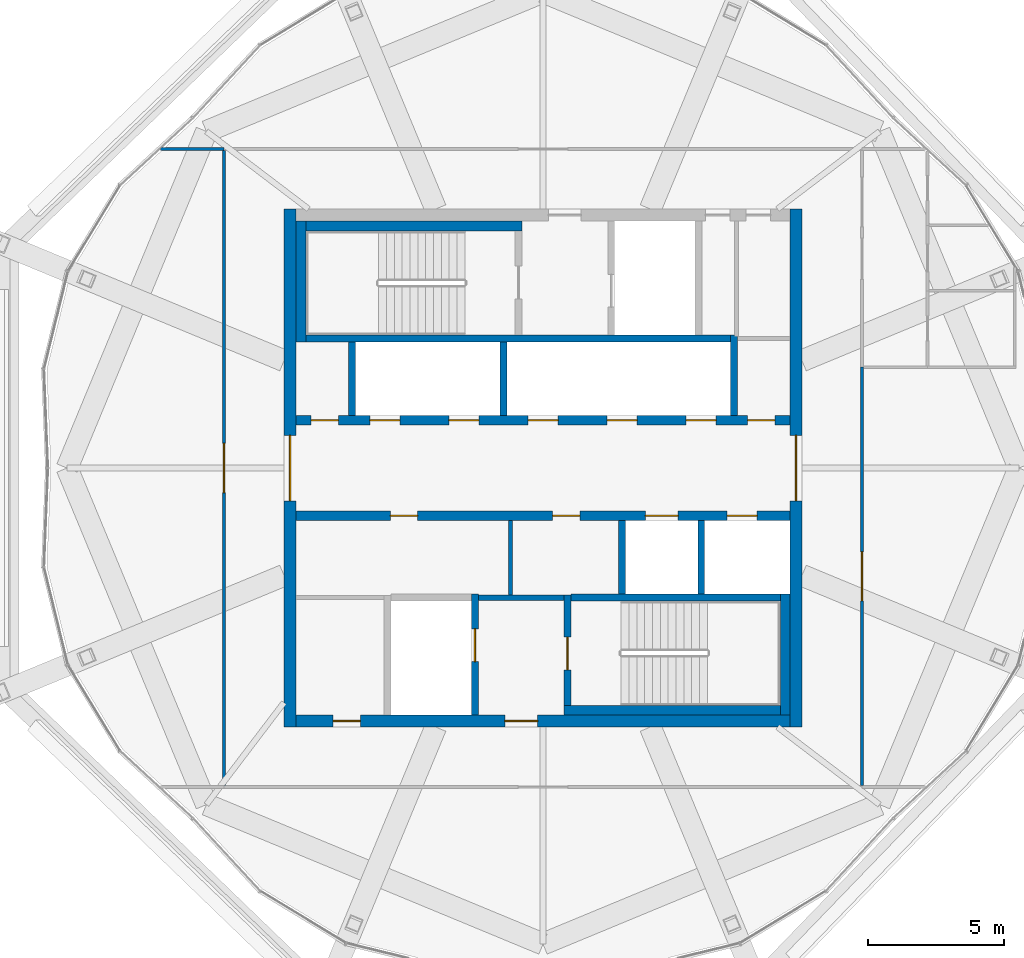
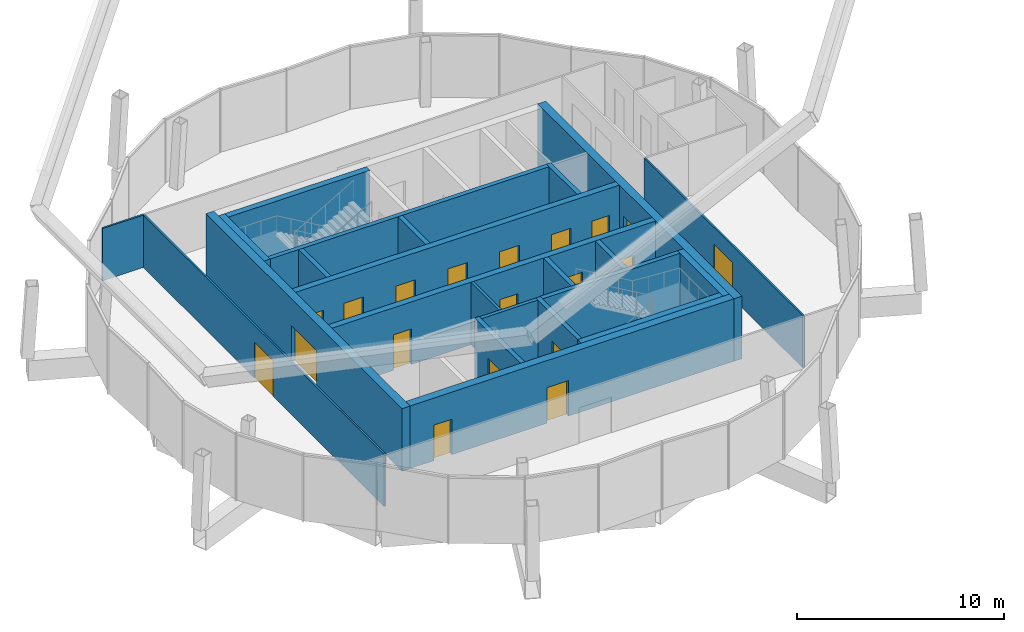
# One storey, part 28 of 34: 23 walls, 19 doors, 19 openings.
"""IFC4 building model written with IfcOpenShell, lengths in metres."""

from ifc_helpers import new_model, si_unit, direction, frame, frame_2d, origin, place, context, subcontext, project, spatial, rectangle, extrude, material, layer, layer_set, type_object, element, fill, save


model = new_model("IFC4")

# Units and contexts
model_context = context("Model", 3, precision=1e-05, world=origin(), true_north=direction((0.0, 1.0)))
body_context = subcontext(model_context, "Body", "Model", "MODEL_VIEW")
ifc_project = project(units=[si_unit("LENGTHUNIT", "METRE"), si_unit("AREAUNIT", "SQUARE_METRE"), si_unit("VOLUMEUNIT", "CUBIC_METRE"), si_unit("PLANEANGLEUNIT", "RADIAN"), si_unit("MASSUNIT", "GRAM", prefix="KILO")], contexts=[model_context])

# Site, building, storey
site_placement = place(None, origin())
site = spatial("IfcSite", under=ifc_project, at=site_placement, CompositionType="ELEMENT")
building_placement = place(site_placement, origin())
building = spatial("IfcBuilding", under=site, at=building_placement, Name="Ogive Gate Towers", CompositionType="ELEMENT")
storey_placement = place(building_placement, frame((0.0, 0.0, 294.0)))
storey = spatial("IfcBuildingStorey", under=building, at=storey_placement, Name="L69", CompositionType="ELEMENT", Elevation=294.0)

# Wall
ifc_material_1 = material(Name="Masonry blockwork", Category="masonry")
ifc_layer_1 = layer(ifc_material_1, 0.199951171875)
ifc_layer_set_1 = layer_set([ifc_layer_1], Name="Blockwork wall 200 mm")
wall_type_1 = type_object("IfcWallType", Name="Blockwork wall 200 mm", PredefinedType="PARTITIONING", material=ifc_layer_set_1)
wall_1_placement = place(storey_placement, frame((-38.375, -4.75, 0.0), z_axis=(0.0, 0.0, 1.0), x_axis=(1.0, 0.0, 0.0)))
element("IfcWall", 1, at=wall_1_placement, inside=storey, type_object=wall_type_1, Name="T1 L69 Blockwork wall 200 mm", PredefinedType="PARTITIONING", context=body_context, shape_type="SweptSolid", body=[
    extrude(rectangle(XDim=3.14990234375, YDim=0.199951171875, at=frame_2d((1.574951171875, 0.0))), origin(), (0.0, 0.0, 1.0), 3.699951171875),
])

# Wall, openings, doors
ifc_material_2 = material(Name="Concrete C60/75", Category="concrete")
ifc_layer_2 = layer(ifc_material_2, 0.449951171875)
ifc_layer_set_2 = layer_set([ifc_layer_2], Name="Core wall 450 mm")
wall_type_2 = type_object("IfcWallType", Name="Core wall 450 mm", PredefinedType="SHEAR", material=ifc_layer_set_2)
wall_2_placement = place(storey_placement, frame((-45.050048828125, -9.27490234375, 0.0), z_axis=(0.0, 0.0, 1.0), x_axis=(1.0, 0.0, 0.0)))
wall_2 = element("IfcWall", 2, at=wall_2_placement, inside=storey, type_object=wall_type_2, Name="T1 L69 Core wall 450 mm", PredefinedType="SHEAR", context=body_context, shape_type="SweptSolid", body=[
    extrude(rectangle(XDim=18.10009765625, YDim=0.449951171875, at=frame_2d((9.050048828125, 0.0))), origin(), (0.0, 0.0, 1.0), 3.699951171875),
])
opening_1_placement = place(wall_2_placement, frame((7.64990234375, 0.0, 0.0)))
opening_1 = element("IfcOpeningElement", 3, at=opening_1_placement, cuts=wall_2, Name="Opening KD-T1-L69-19", PredefinedType="OPENING", context=body_context, shape_type="SweptSolid", body=[
    extrude(rectangle(XDim=1.199951171875, YDim=2.10009765625, at=frame_2d((0.60009765625, 1.050048828125))), frame((0.0, 0.23486328125, 0.0), z_axis=(0.0, -1.0, 0.0), x_axis=(1.0, 0.0, 0.0)), (0.0, 0.0, 1.0), 0.469970703125),
])
opening_2_placement = place(wall_2_placement, frame((1.35009765625, 0.0, 0.0)))
opening_2 = element("IfcOpeningElement", 4, at=opening_2_placement, cuts=wall_2, Name="Opening KD-T1-L69-22", PredefinedType="OPENING", context=body_context, shape_type="SweptSolid", body=[
    extrude(rectangle(XDim=1.0, YDim=2.10009765625, at=frame_2d((0.5, 1.050048828125))), frame((0.0, 0.23486328125, 0.0), z_axis=(0.0, -1.0, 0.0), x_axis=(1.0, 0.0, 0.0)), (0.0, 0.0, 1.0), 0.469970703125),
])
ifc_material_3 = material(Name="Timber door", Category="wood")
door_type_1 = type_object("IfcDoorType", Name="Accessible WC door 1000 x 2100", OperationType="NOTDEFINED", PredefinedType="DOOR", material=ifc_material_3)
door_1_placement = place(opening_2_placement, origin())
door_1 = element("IfcDoor", 5, at=door_1_placement, inside=storey, type_object=door_type_1, Name="T1 L69 Core door", OperationType="SINGLE_SWING_LEFT", OverallHeight=2.10009765625, OverallWidth=1.0, PredefinedType="DOOR", context=body_context, shape_type="SweptSolid", body=[
    extrude(rectangle(XDim=1.0, YDim=2.10009765625, at=frame_2d((0.5, 1.050048828125))), frame((0.0, 0.02490234375, 0.0), z_axis=(0.0, -1.0, 0.0), x_axis=(1.0, 0.0, 0.0)), (0.0, 0.0, 1.0), 0.050048828125),
])
fill(opening_2, door_1)
ifc_material_4 = material(Name="Steel fire door", Category="steel")
door_type_2 = type_object("IfcDoorType", Name="Core door FD60S 1200 x 2100", OperationType="NOTDEFINED", PredefinedType="DOOR", material=ifc_material_4)
door_2_placement = place(opening_1_placement, origin())
door_2 = element("IfcDoor", 6, at=door_2_placement, inside=storey, type_object=door_type_2, Name="T1 L69 Fire-fighting lobby door", OperationType="SINGLE_SWING_RIGHT", OverallHeight=2.10009765625, OverallWidth=1.199951171875, PredefinedType="DOOR", context=body_context, shape_type="SweptSolid", body=[
    extrude(rectangle(XDim=1.199951171875, YDim=2.10009765625, at=frame_2d((0.60009765625, 1.050048828125))), frame((0.0, 0.02490234375, 0.0), z_axis=(0.0, -1.0, 0.0), x_axis=(1.0, 0.0, 0.0)), (0.0, 0.0, 1.0), 0.050048828125),
])
fill(opening_1, door_2)

# Wall, opening, door
wall_3_placement = place(storey_placement, frame((-45.27490234375, -9.5, 0.0), z_axis=(0.0, 0.0, 1.0), x_axis=(0.0, 1.0, 0.0)))
wall_3 = element("IfcWall", 7, at=wall_3_placement, inside=storey, type_object=wall_type_2, Name="T1 L69 Core wall 450 mm", PredefinedType="SHEAR", context=body_context, shape_type="SweptSolid", body=[
    extrude(rectangle(XDim=19.0, YDim=0.449951171875, at=frame_2d((9.5, 0.0))), origin(), (0.0, 0.0, 1.0), 3.699951171875),
])
opening_3_placement = place(wall_3_placement, frame((8.300048828125, 0.0, 0.0)))
opening_3 = element("IfcOpeningElement", 8, at=opening_3_placement, cuts=wall_3, Name="Opening KD-T1-L69-01", PredefinedType="OPENING", context=body_context, shape_type="SweptSolid", body=[
    extrude(rectangle(XDim=2.39990234375, YDim=2.10009765625, at=frame_2d((1.199951171875, 1.050048828125))), frame((0.0, 0.23486328125, 0.0), z_axis=(0.0, -1.0, 0.0), x_axis=(1.0, 0.0, 0.0)), (0.0, 0.0, 1.0), 0.469970703125),
])
door_type_3 = type_object("IfcDoorType", Name="Core double door FD60S 2400 x 2100", OperationType="DOUBLE_DOOR_SINGLE_SWING", PredefinedType="DOOR", material=ifc_material_4)
door_3_placement = place(opening_3_placement, origin())
door_3 = element("IfcDoor", 9, at=door_3_placement, inside=storey, type_object=door_type_3, Name="T1 L69 Core door double", OperationType="DOUBLE_DOOR_SINGLE_SWING", OverallHeight=2.10009765625, OverallWidth=2.39990234375, PredefinedType="DOOR", context=body_context, shape_type="SweptSolid", body=[
    extrude(rectangle(XDim=2.39990234375, YDim=2.10009765625, at=frame_2d((1.199951171875, 1.050048828125))), frame((0.0, 0.02490234375, 0.0), z_axis=(0.0, -1.0, 0.0), x_axis=(1.0, 0.0, 0.0)), (0.0, 0.0, 1.0), 0.050048828125),
])
fill(opening_3, door_3)

wall_4_placement = place(storey_placement, frame((-26.72509765625, -9.5, 0.0), z_axis=(0.0, 0.0, 1.0), x_axis=(0.0, 1.0, 0.0)))
wall_4 = element("IfcWall", 10, at=wall_4_placement, inside=storey, type_object=wall_type_2, Name="T1 L69 Core wall 450 mm", PredefinedType="SHEAR", context=body_context, shape_type="SweptSolid", body=[
    extrude(rectangle(XDim=19.0, YDim=0.449951171875, at=frame_2d((9.5, 0.0))), origin(), (0.0, 0.0, 1.0), 3.699951171875),
])
opening_4_placement = place(wall_4_placement, frame((8.300048828125, 0.0, 0.0)))
opening_4 = element("IfcOpeningElement", 11, at=opening_4_placement, cuts=wall_4, Name="Opening KD-T1-L69-02", PredefinedType="OPENING", context=body_context, shape_type="SweptSolid", body=[
    extrude(rectangle(XDim=2.39990234375, YDim=2.10009765625, at=frame_2d((1.199951171875, 1.050048828125))), frame((0.0, 0.23486328125, 0.0), z_axis=(0.0, -1.0, 0.0), x_axis=(1.0, 0.0, 0.0)), (0.0, 0.0, 1.0), 0.469970703125),
])
door_4_placement = place(opening_4_placement, origin())
door_4 = element("IfcDoor", 12, at=door_4_placement, inside=storey, type_object=door_type_3, Name="T1 L69 Core door double", OperationType="DOUBLE_DOOR_SINGLE_SWING", OverallHeight=2.10009765625, OverallWidth=2.39990234375, PredefinedType="DOOR", context=body_context, shape_type="SweptSolid", body=[
    extrude(rectangle(XDim=2.39990234375, YDim=2.10009765625, at=frame_2d((1.199951171875, 1.050048828125))), frame((0.0, 0.02490234375, 0.0), z_axis=(0.0, -1.0, 0.0), x_axis=(1.0, 0.0, 0.0)), (0.0, 0.0, 1.0), 0.050048828125),
])
fill(opening_4, door_4)

# Wall
ifc_material_5 = material(Name="Gypsum board partition")
ifc_layer_3 = layer(ifc_material_5, 0.10009765625)
ifc_layer_set_3 = layer_set([ifc_layer_3], Name="Partition wall 100")
wall_type_3 = type_object("IfcWallType", Name="Partition wall 100", PredefinedType="PARTITIONING", material=ifc_layer_set_3)
wall_5_placement = place(storey_placement, frame((-50.02490234375, 11.699951171875, 0.0), z_axis=(0.0, 0.0, 1.0), x_axis=(1.0, 0.0, 0.0)))
element("IfcWall", 13, at=wall_5_placement, inside=storey, type_object=wall_type_3, Name="L69 partition 012", PredefinedType="PARTITIONING", context=body_context, shape_type="SweptSolid", body=[
    extrude(rectangle(XDim=2.324951171875, YDim=0.10009765625, at=frame_2d((1.16259765625, 0.0))), origin(), (0.0, 0.0, 1.0), 3.10009765625),
])

# Wall, opening, door
wall_6_placement = place(storey_placement, frame((-47.699951171875, -11.64990234375, 0.0), z_axis=(0.0, 0.0, 1.0), x_axis=(0.0, 1.0, 0.0)))
wall_6 = element("IfcWall", 14, at=wall_6_placement, inside=storey, type_object=wall_type_3, Name="L69 partition 017", PredefinedType="PARTITIONING", context=body_context, shape_type="SweptSolid", body=[
    extrude(rectangle(XDim=23.2998046875, YDim=0.10009765625, at=frame_2d((11.64990234375, 0.0))), origin(), (0.0, 0.0, 1.0), 3.10009765625),
])
opening_5_placement = place(wall_6_placement, frame((10.75, 0.0, 0.0)))
opening_5 = element("IfcOpeningElement", 15, at=opening_5_placement, cuts=wall_6, Name="Opening PO302", PredefinedType="OPENING", context=body_context, shape_type="SweptSolid", body=[
    extrude(rectangle(XDim=1.800048828125, YDim=2.10009765625, at=frame_2d((0.89990234375, 1.050048828125))), frame((0.0, 0.06005859375, 0.0), z_axis=(0.0, -1.0, 0.0), x_axis=(1.0, 0.0, 0.0)), (0.0, 0.0, 1.0), 0.1201171875),
])
door_type_4 = type_object("IfcDoorType", Name="Double door 1800 x 2100", OperationType="NOTDEFINED", PredefinedType="DOOR", material=ifc_material_3)
door_5_placement = place(opening_5_placement, origin())
door_5 = element("IfcDoor", 16, at=door_5_placement, inside=storey, type_object=door_type_4, Name="Door PO302", OperationType="DOUBLE_DOOR_DOUBLE_SWING", OverallHeight=2.10009765625, OverallWidth=1.800048828125, PredefinedType="DOOR", context=body_context, shape_type="SweptSolid", body=[
    extrude(rectangle(XDim=1.800048828125, YDim=2.10009765625, at=frame_2d((0.89990234375, 1.050048828125))), frame((0.0, 0.02490234375, 0.0), z_axis=(0.0, -1.0, 0.0), x_axis=(1.0, 0.0, 0.0)), (0.0, 0.0, 1.0), 0.050048828125),
])
fill(opening_5, door_5)

wall_7_placement = place(storey_placement, frame((-24.300048828125, -11.64990234375, 0.0), z_axis=(0.0, 0.0, 1.0), x_axis=(0.0, 1.0, 0.0)))
wall_7 = element("IfcWall", 17, at=wall_7_placement, inside=storey, type_object=wall_type_3, Name="L69 partition 018", PredefinedType="PARTITIONING", context=body_context, shape_type="SweptSolid", body=[
    extrude(rectangle(XDim=15.349853515625, YDim=0.10009765625, at=frame_2d((7.6748046875, 0.0))), origin(), (0.0, 0.0, 1.0), 3.10009765625),
])
opening_6_placement = place(wall_7_placement, frame((6.77490234375, 0.0, 0.0)))
opening_6 = element("IfcOpeningElement", 18, at=opening_6_placement, cuts=wall_7, Name="Opening PO303", PredefinedType="OPENING", context=body_context, shape_type="SweptSolid", body=[
    extrude(rectangle(XDim=1.800048828125, YDim=2.10009765625, at=frame_2d((0.89990234375, 1.050048828125))), frame((0.0, 0.06005859375, 0.0), z_axis=(0.0, -1.0, 0.0), x_axis=(1.0, 0.0, 0.0)), (0.0, 0.0, 1.0), 0.1201171875),
])
door_6_placement = place(opening_6_placement, origin())
door_6 = element("IfcDoor", 19, at=door_6_placement, inside=storey, type_object=door_type_4, Name="Door PO303", OperationType="DOUBLE_DOOR_DOUBLE_SWING", OverallHeight=2.10009765625, OverallWidth=1.800048828125, PredefinedType="DOOR", context=body_context, shape_type="SweptSolid", body=[
    extrude(rectangle(XDim=1.800048828125, YDim=2.10009765625, at=frame_2d((0.89990234375, 1.050048828125))), frame((0.0, 0.02490234375, 0.0), z_axis=(0.0, -1.0, 0.0), x_axis=(1.0, 0.0, 0.0)), (0.0, 0.0, 1.0), 0.050048828125),
])
fill(opening_6, door_6)

# Walls
ifc_layer_4 = layer(ifc_material_5, 0.14990234375)
ifc_layer_set_4 = layer_set([ifc_layer_4], Name="Room partition 150 mm")
wall_type_4 = type_object("IfcWallType", Name="Room partition 150 mm", PredefinedType="PARTITIONING", material=ifc_layer_set_4)
wall_8_placement = place(storey_placement, frame((-37.199951171875, -4.64990234375, 0.0), z_axis=(0.0, 0.0, 1.0), x_axis=(0.0, 1.0, 0.0)))
element("IfcWall", 20, at=wall_8_placement, inside=storey, type_object=wall_type_4, Name="T1 L69 Room partition 150 mm", PredefinedType="PARTITIONING", context=body_context, shape_type="SweptSolid", body=[
    extrude(rectangle(XDim=2.724853515625, YDim=0.14990234375, at=frame_2d((1.3623046875, 0.0))), origin(), (0.0, 0.0, 1.0), 3.699951171875),
])
ifc_layer_5 = layer(ifc_material_2, 0.25)
ifc_layer_set_5 = layer_set([ifc_layer_5], Name="Shaft wall 250 mm")
wall_type_5 = type_object("IfcWallType", Name="Shaft wall 250 mm", PredefinedType="SHEAR", material=ifc_layer_set_5)
wall_9_placement = place(storey_placement, frame((-34.97509765625, -4.75, 0.0), z_axis=(0.0, 0.0, 1.0), x_axis=(1.0, 0.0, 0.0)))
element("IfcWall", 21, at=wall_9_placement, inside=storey, type_object=wall_type_5, Name="T1 L69 Shaft wall 250 mm", PredefinedType="SHEAR", context=body_context, shape_type="SweptSolid", body=[
    extrude(rectangle(XDim=7.675048828125, YDim=0.25, at=frame_2d((3.83740234375, 0.0))), origin(), (0.0, 0.0, 1.0), 3.699951171875),
])
wall_10_placement = place(storey_placement, frame((-44.699951171875, 4.75, 0.0), z_axis=(0.0, 0.0, 1.0), x_axis=(1.0, 0.0, 0.0)))
element("IfcWall", 22, at=wall_10_placement, inside=storey, type_object=wall_type_5, Name="T1 L69 Shaft wall 250 mm", PredefinedType="SHEAR", context=body_context, shape_type="SweptSolid", body=[
    extrude(rectangle(XDim=15.574951171875, YDim=0.25, at=frame_2d((7.78759765625, 0.0))), origin(), (0.0, 0.0, 1.0), 3.699951171875),
])
wall_11_placement = place(storey_placement, frame((-43.0, 1.925048828125, 0.0), z_axis=(0.0, 0.0, 1.0), x_axis=(0.0, 1.0, 0.0)))
element("IfcWall", 23, at=wall_11_placement, inside=storey, type_object=wall_type_5, Name="T1 L69 Shaft wall 250 mm", PredefinedType="SHEAR", context=body_context, shape_type="SweptSolid", body=[
    extrude(rectangle(XDim=2.699951171875, YDim=0.25, at=frame_2d((1.35009765625, 0.0))), origin(), (0.0, 0.0, 1.0), 3.699951171875),
])

# Wall, opening, door
wall_12_placement = place(storey_placement, frame((-38.5, -9.050048828125, 0.0), z_axis=(0.0, 0.0, 1.0), x_axis=(0.0, 1.0, 0.0)))
wall_12 = element("IfcWall", 24, at=wall_12_placement, inside=storey, type_object=wall_type_5, Name="T1 L69 Shaft wall 250 mm", PredefinedType="SHEAR", context=body_context, shape_type="SweptSolid", body=[
    extrude(rectangle(XDim=4.425048828125, YDim=0.25, at=frame_2d((2.21240234375, 0.0))), origin(), (0.0, 0.0, 1.0), 3.699951171875),
])
opening_7_placement = place(wall_12_placement, frame((1.949951171875, 0.0, 0.0)))
opening_7 = element("IfcOpeningElement", 25, at=opening_7_placement, cuts=wall_12, Name="Opening LD-T1-L69-13", PredefinedType="OPENING", context=body_context, shape_type="SweptSolid", body=[
    extrude(rectangle(XDim=1.199951171875, YDim=2.10009765625, at=frame_2d((0.60009765625, 1.050048828125))), frame((0.0, 0.135009765625, 0.0), z_axis=(0.0, -1.0, 0.0), x_axis=(1.0, 0.0, 0.0)), (0.0, 0.0, 1.0), 0.27001953125),
])
ifc_material_6 = material(Name="Stainless steel landing door", Category="steel")
door_type_5 = type_object("IfcDoorType", Name="Landing door 1200 x 2100", OperationType="SLIDING_TO_LEFT", PredefinedType="DOOR", material=ifc_material_6)
door_7_placement = place(opening_7_placement, origin())
door_7 = element("IfcDoor", 26, at=door_7_placement, inside=storey, type_object=door_type_5, Name="T1 L69 Lift landing door FF2", OperationType="SLIDING_TO_LEFT", OverallHeight=2.10009765625, OverallWidth=1.199951171875, PredefinedType="DOOR", context=body_context, shape_type="SweptSolid", body=[
    extrude(rectangle(XDim=1.199951171875, YDim=2.10009765625, at=frame_2d((0.60009765625, 1.050048828125))), frame((0.0, 0.02490234375, 0.0), z_axis=(0.0, -1.0, 0.0), x_axis=(1.0, 0.0, 0.0)), (0.0, 0.0, 1.0), 0.050048828125),
])
fill(opening_7, door_7)

# Wall
wall_13_placement = place(storey_placement, frame((-37.449951171875, 1.925048828125, 0.0), z_axis=(0.0, 0.0, 1.0), x_axis=(0.0, 1.0, 0.0)))
element("IfcWall", 27, at=wall_13_placement, inside=storey, type_object=wall_type_5, Name="T1 L69 Shaft wall 250 mm", PredefinedType="SHEAR", context=body_context, shape_type="SweptSolid", body=[
    extrude(rectangle(XDim=2.699951171875, YDim=0.25, at=frame_2d((1.35009765625, 0.0))), origin(), (0.0, 0.0, 1.0), 3.699951171875),
])

# Wall, opening, door
wall_14_placement = place(storey_placement, frame((-35.10009765625, -8.699951171875, 0.0), z_axis=(0.0, 0.0, 1.0), x_axis=(0.0, 1.0, 0.0)))
wall_14 = element("IfcWall", 28, at=wall_14_placement, inside=storey, type_object=wall_type_5, Name="T1 L69 Shaft wall 250 mm", PredefinedType="SHEAR", context=body_context, shape_type="SweptSolid", body=[
    extrude(rectangle(XDim=4.050048828125, YDim=0.25, at=frame_2d((2.02490234375, 0.0))), origin(), (0.0, 0.0, 1.0), 3.699951171875),
])
opening_8_placement = place(wall_14_placement, frame((1.300048828125, 0.0, 0.0)))
opening_8 = element("IfcOpeningElement", 29, at=opening_8_placement, cuts=wall_14, Name="Opening KD-T1-L69-17", PredefinedType="OPENING", context=body_context, shape_type="SweptSolid", body=[
    extrude(rectangle(XDim=1.199951171875, YDim=2.10009765625, at=frame_2d((0.60009765625, 1.050048828125))), frame((0.0, 0.135009765625, 0.0), z_axis=(0.0, -1.0, 0.0), x_axis=(1.0, 0.0, 0.0)), (0.0, 0.0, 1.0), 0.27001953125),
])
door_8_placement = place(opening_8_placement, origin())
door_8 = element("IfcDoor", 30, at=door_8_placement, inside=storey, type_object=door_type_2, Name="T1 L69 Stair door", OperationType="SINGLE_SWING_RIGHT", OverallHeight=2.10009765625, OverallWidth=1.199951171875, PredefinedType="DOOR", context=body_context, shape_type="SweptSolid", body=[
    extrude(rectangle(XDim=1.199951171875, YDim=2.10009765625, at=frame_2d((0.60009765625, 1.050048828125))), frame((0.0, 0.02490234375, 0.0), z_axis=(0.0, -1.0, 0.0), x_axis=(1.0, 0.0, 0.0)), (0.0, 0.0, 1.0), 0.050048828125),
])
fill(opening_8, door_8)

# Walls
for number, where, z_axis, x_axis, name in (
    (31, (-33.10009765625, -4.625, 0.0), (0.0, 0.0, 1.0), (0.0, 1.0, 0.0), "T1 L69 Shaft wall 250 mm"),
    (32, (-30.199951171875, -4.625, 0.0), (0.0, 0.0, 1.0), (0.0, 1.0, 0.0), "T1 L69 Shaft wall 250 mm"),
):
    element("IfcWall", number, at=place(storey_placement, frame(where, z_axis=z_axis, x_axis=x_axis)), inside=storey, type_object=wall_type_5, Name=name, PredefinedType="SHEAR", context=body_context, shape_type="SweptSolid", body=[
        extrude(rectangle(XDim=2.699951171875, YDim=0.25, at=frame_2d((1.35009765625, 0.0))), origin(), (0.0, 0.0, 1.0), 3.699951171875),
    ])
wall_15_placement = place(storey_placement, frame((-29.0, 1.925048828125, 0.0), z_axis=(0.0, 0.0, 1.0), x_axis=(0.0, 1.0, 0.0)))
element("IfcWall", 33, at=wall_15_placement, inside=storey, type_object=wall_type_5, Name="T1 L69 Shaft wall 250 mm", PredefinedType="SHEAR", context=body_context, shape_type="SweptSolid", body=[
    extrude(rectangle(XDim=2.949951171875, YDim=0.25, at=frame_2d((1.47509765625, 0.0))), origin(), (0.0, 0.0, 1.0), 3.699951171875),
])

# Wall, openings, doors
ifc_layer_6 = layer(ifc_material_2, 0.35009765625)
ifc_layer_set_6 = layer_set([ifc_layer_6], Name="Spine wall 350 mm")
wall_type_6 = type_object("IfcWallType", Name="Spine wall 350 mm", PredefinedType="SHEAR", material=ifc_layer_set_6)
wall_16_placement = place(storey_placement, frame((-45.050048828125, -1.75, 0.0), z_axis=(0.0, 0.0, 1.0), x_axis=(1.0, 0.0, 0.0)))
wall_16 = element("IfcWall", 34, at=wall_16_placement, inside=storey, type_object=wall_type_6, Name="T1 L69 Spine wall 350 mm", PredefinedType="SHEAR", context=body_context, shape_type="SweptSolid", body=[
    extrude(rectangle(XDim=18.10009765625, YDim=0.35009765625, at=frame_2d((9.050048828125, 0.0))), origin(), (0.0, 0.0, 1.0), 3.699951171875),
])
opening_9_placement = place(wall_16_placement, frame((12.800048828125, 0.0, 0.0)))
opening_9 = element("IfcOpeningElement", 35, at=opening_9_placement, cuts=wall_16, Name="Opening LD-T1-L69-10", PredefinedType="OPENING", context=body_context, shape_type="SweptSolid", body=[
    extrude(rectangle(XDim=1.199951171875, YDim=2.10009765625, at=frame_2d((0.60009765625, 1.050048828125))), frame((0.0, 0.18505859375, 0.0), z_axis=(0.0, -1.0, 0.0), x_axis=(1.0, 0.0, 0.0)), (0.0, 0.0, 1.0), 0.3701171875),
])
opening_10_placement = place(wall_16_placement, frame((15.800048828125, 0.0, 0.0)))
opening_10 = element("IfcOpeningElement", 36, at=opening_10_placement, cuts=wall_16, Name="Opening LD-T1-L69-11", PredefinedType="OPENING", context=body_context, shape_type="SweptSolid", body=[
    extrude(rectangle(XDim=1.10009765625, YDim=2.10009765625, at=frame_2d((0.550048828125, 1.050048828125))), frame((0.0, 0.18505859375, 0.0), z_axis=(0.0, -1.0, 0.0), x_axis=(1.0, 0.0, 0.0)), (0.0, 0.0, 1.0), 0.3701171875),
])
opening_11_placement = place(wall_16_placement, frame((3.449951171875, 0.0, 0.0)))
opening_11 = element("IfcOpeningElement", 37, at=opening_11_placement, cuts=wall_16, Name="Opening KD-T1-L69-14", PredefinedType="OPENING", context=body_context, shape_type="SweptSolid", body=[
    extrude(rectangle(XDim=1.0, YDim=2.10009765625, at=frame_2d((0.5, 1.050048828125))), frame((0.0, 0.18505859375, 0.0), z_axis=(0.0, -1.0, 0.0), x_axis=(1.0, 0.0, 0.0)), (0.0, 0.0, 1.0), 0.3701171875),
])
opening_12_placement = place(wall_16_placement, frame((9.39990234375, 0.0, 0.0)))
opening_12 = element("IfcOpeningElement", 38, at=opening_12_placement, cuts=wall_16, Name="Opening KD-T1-L69-15", PredefinedType="OPENING", context=body_context, shape_type="SweptSolid", body=[
    extrude(rectangle(XDim=1.0, YDim=2.10009765625, at=frame_2d((0.5, 1.050048828125))), frame((0.0, 0.18505859375, 0.0), z_axis=(0.0, -1.0, 0.0), x_axis=(1.0, 0.0, 0.0)), (0.0, 0.0, 1.0), 0.3701171875),
])
door_type_6 = type_object("IfcDoorType", Name="Core door FD60S 1000 x 2100", OperationType="NOTDEFINED", PredefinedType="DOOR", material=ifc_material_4)
door_9_placement = place(opening_11_placement, origin())
door_9 = element("IfcDoor", 39, at=door_9_placement, inside=storey, type_object=door_type_6, Name="T1 L69 Core door", OperationType="SINGLE_SWING_LEFT", OverallHeight=2.10009765625, OverallWidth=1.0, PredefinedType="DOOR", context=body_context, shape_type="SweptSolid", body=[
    extrude(rectangle(XDim=1.0, YDim=2.10009765625, at=frame_2d((0.5, 1.050048828125))), frame((0.0, 0.02490234375, 0.0), z_axis=(0.0, -1.0, 0.0), x_axis=(1.0, 0.0, 0.0)), (0.0, 0.0, 1.0), 0.050048828125),
])
fill(opening_11, door_9)
door_10_placement = place(opening_12_placement, origin())
door_10 = element("IfcDoor", 40, at=door_10_placement, inside=storey, type_object=door_type_6, Name="T1 L69 Core door", OperationType="SINGLE_SWING_RIGHT", OverallHeight=2.10009765625, OverallWidth=1.0, PredefinedType="DOOR", context=body_context, shape_type="SweptSolid", body=[
    extrude(rectangle(XDim=1.0, YDim=2.10009765625, at=frame_2d((0.5, 1.050048828125))), frame((0.0, 0.02490234375, 0.0), z_axis=(0.0, -1.0, 0.0), x_axis=(1.0, 0.0, 0.0)), (0.0, 0.0, 1.0), 0.050048828125),
])
fill(opening_12, door_10)
door_type_7 = type_object("IfcDoorType", Name="Landing door 1100 x 2100", OperationType="SLIDING_TO_LEFT", PredefinedType="DOOR", material=ifc_material_6)
door_11_placement = place(opening_10_placement, origin())
door_11 = element("IfcDoor", 41, at=door_11_placement, inside=storey, type_object=door_type_7, Name="T1 L69 Lift landing door B6", OperationType="SLIDING_TO_LEFT", OverallHeight=2.10009765625, OverallWidth=1.10009765625, PredefinedType="DOOR", context=body_context, shape_type="SweptSolid", body=[
    extrude(rectangle(XDim=1.10009765625, YDim=2.10009765625, at=frame_2d((0.550048828125, 1.050048828125))), frame((0.0, 0.02490234375, 0.0), z_axis=(0.0, -1.0, 0.0), x_axis=(1.0, 0.0, 0.0)), (0.0, 0.0, 1.0), 0.050048828125),
])
fill(opening_10, door_11)
door_12_placement = place(opening_9_placement, origin())
door_12 = element("IfcDoor", 42, at=door_12_placement, inside=storey, type_object=door_type_5, Name="T1 L69 Lift landing door SVC", OperationType="SLIDING_TO_LEFT", OverallHeight=2.10009765625, OverallWidth=1.199951171875, PredefinedType="DOOR", context=body_context, shape_type="SweptSolid", body=[
    extrude(rectangle(XDim=1.199951171875, YDim=2.10009765625, at=frame_2d((0.60009765625, 1.050048828125))), frame((0.0, 0.02490234375, 0.0), z_axis=(0.0, -1.0, 0.0), x_axis=(1.0, 0.0, 0.0)), (0.0, 0.0, 1.0), 0.050048828125),
])
fill(opening_9, door_12)

wall_17_placement = place(storey_placement, frame((-45.050048828125, 1.75, 0.0), z_axis=(0.0, 0.0, 1.0), x_axis=(1.0, 0.0, 0.0)))
wall_17 = element("IfcWall", 43, at=wall_17_placement, inside=storey, type_object=wall_type_6, Name="T1 L69 Spine wall 350 mm", PredefinedType="SHEAR", context=body_context, shape_type="SweptSolid", body=[
    extrude(rectangle(XDim=18.10009765625, YDim=0.35009765625, at=frame_2d((9.050048828125, 0.0))), origin(), (0.0, 0.0, 1.0), 3.699951171875),
])
opening_13_placement = place(wall_17_placement, frame((0.550048828125, 0.0, 0.0)))
opening_13 = element("IfcOpeningElement", 44, at=opening_13_placement, cuts=wall_17, Name="Opening KD-T1-L69-03", PredefinedType="OPENING", context=body_context, shape_type="SweptSolid", body=[
    extrude(rectangle(XDim=1.0, YDim=2.10009765625, at=frame_2d((0.5, 1.050048828125))), frame((0.0, 0.18505859375, 0.0), z_axis=(0.0, -1.0, 0.0), x_axis=(1.0, 0.0, 0.0)), (0.0, 0.0, 1.0), 0.3701171875),
])
opening_14_placement = place(wall_17_placement, frame((2.699951171875, 0.0, 0.0)))
opening_14 = element("IfcOpeningElement", 45, at=opening_14_placement, cuts=wall_17, Name="Opening LD-T1-L69-04", PredefinedType="OPENING", context=body_context, shape_type="SweptSolid", body=[
    extrude(rectangle(XDim=1.10009765625, YDim=2.10009765625, at=frame_2d((0.550048828125, 1.050048828125))), frame((0.0, 0.18505859375, 0.0), z_axis=(0.0, -1.0, 0.0), x_axis=(1.0, 0.0, 0.0)), (0.0, 0.0, 1.0), 0.3701171875),
])
opening_15_placement = place(wall_17_placement, frame((5.60009765625, 0.0, 0.0)))
opening_15 = element("IfcOpeningElement", 46, at=opening_15_placement, cuts=wall_17, Name="Opening LD-T1-L69-05", PredefinedType="OPENING", context=body_context, shape_type="SweptSolid", body=[
    extrude(rectangle(XDim=1.10009765625, YDim=2.10009765625, at=frame_2d((0.550048828125, 1.050048828125))), frame((0.0, 0.18505859375, 0.0), z_axis=(0.0, -1.0, 0.0), x_axis=(1.0, 0.0, 0.0)), (0.0, 0.0, 1.0), 0.3701171875),
])
opening_16_placement = place(wall_17_placement, frame((8.5, 0.0, 0.0)))
opening_16 = element("IfcOpeningElement", 47, at=opening_16_placement, cuts=wall_17, Name="Opening LD-T1-L69-06", PredefinedType="OPENING", context=body_context, shape_type="SweptSolid", body=[
    extrude(rectangle(XDim=1.10009765625, YDim=2.10009765625, at=frame_2d((0.550048828125, 1.050048828125))), frame((0.0, 0.18505859375, 0.0), z_axis=(0.0, -1.0, 0.0), x_axis=(1.0, 0.0, 0.0)), (0.0, 0.0, 1.0), 0.3701171875),
])
opening_17_placement = place(wall_17_placement, frame((11.39990234375, 0.0, 0.0)))
opening_17 = element("IfcOpeningElement", 48, at=opening_17_placement, cuts=wall_17, Name="Opening LD-T1-L69-07", PredefinedType="OPENING", context=body_context, shape_type="SweptSolid", body=[
    extrude(rectangle(XDim=1.10009765625, YDim=2.10009765625, at=frame_2d((0.550048828125, 1.050048828125))), frame((0.0, 0.18505859375, 0.0), z_axis=(0.0, -1.0, 0.0), x_axis=(1.0, 0.0, 0.0)), (0.0, 0.0, 1.0), 0.3701171875),
])
opening_18_placement = place(wall_17_placement, frame((14.300048828125, 0.0, 0.0)))
opening_18 = element("IfcOpeningElement", 49, at=opening_18_placement, cuts=wall_17, Name="Opening LD-T1-L69-08", PredefinedType="OPENING", context=body_context, shape_type="SweptSolid", body=[
    extrude(rectangle(XDim=1.10009765625, YDim=2.10009765625, at=frame_2d((0.550048828125, 1.050048828125))), frame((0.0, 0.18505859375, 0.0), z_axis=(0.0, -1.0, 0.0), x_axis=(1.0, 0.0, 0.0)), (0.0, 0.0, 1.0), 0.3701171875),
])
opening_19_placement = place(wall_17_placement, frame((16.550048828125, 0.0, 0.0)))
opening_19 = element("IfcOpeningElement", 50, at=opening_19_placement, cuts=wall_17, Name="Opening KD-T1-L69-09", PredefinedType="OPENING", context=body_context, shape_type="SweptSolid", body=[
    extrude(rectangle(XDim=1.0, YDim=2.10009765625, at=frame_2d((0.5, 1.050048828125))), frame((0.0, 0.18505859375, 0.0), z_axis=(0.0, -1.0, 0.0), x_axis=(1.0, 0.0, 0.0)), (0.0, 0.0, 1.0), 0.3701171875),
])
door_13_placement = place(opening_13_placement, origin())
door_13 = element("IfcDoor", 51, at=door_13_placement, inside=storey, type_object=door_type_6, Name="T1 L69 Core door", OperationType="SINGLE_SWING_RIGHT", OverallHeight=2.10009765625, OverallWidth=1.0, PredefinedType="DOOR", context=body_context, shape_type="SweptSolid", body=[
    extrude(rectangle(XDim=1.0, YDim=2.10009765625, at=frame_2d((0.5, 1.050048828125))), frame((0.0, 0.02490234375, 0.0), z_axis=(0.0, -1.0, 0.0), x_axis=(1.0, 0.0, 0.0)), (0.0, 0.0, 1.0), 0.050048828125),
])
fill(opening_13, door_13)
door_14_placement = place(opening_19_placement, origin())
door_14 = element("IfcDoor", 52, at=door_14_placement, inside=storey, type_object=door_type_6, Name="T1 L69 Core door", OperationType="SINGLE_SWING_RIGHT", OverallHeight=2.10009765625, OverallWidth=1.0, PredefinedType="DOOR", context=body_context, shape_type="SweptSolid", body=[
    extrude(rectangle(XDim=1.0, YDim=2.10009765625, at=frame_2d((0.5, 1.050048828125))), frame((0.0, 0.02490234375, 0.0), z_axis=(0.0, -1.0, 0.0), x_axis=(1.0, 0.0, 0.0)), (0.0, 0.0, 1.0), 0.050048828125),
])
fill(opening_19, door_14)
door_15_placement = place(opening_14_placement, origin())
door_15 = element("IfcDoor", 53, at=door_15_placement, inside=storey, type_object=door_type_7, Name="T1 L69 Lift landing door B1", OperationType="SLIDING_TO_LEFT", OverallHeight=2.10009765625, OverallWidth=1.10009765625, PredefinedType="DOOR", context=body_context, shape_type="SweptSolid", body=[
    extrude(rectangle(XDim=1.10009765625, YDim=2.10009765625, at=frame_2d((0.550048828125, 1.050048828125))), frame((0.0, 0.02490234375, 0.0), z_axis=(0.0, -1.0, 0.0), x_axis=(1.0, 0.0, 0.0)), (0.0, 0.0, 1.0), 0.050048828125),
])
fill(opening_14, door_15)
door_16_placement = place(opening_15_placement, origin())
door_16 = element("IfcDoor", 54, at=door_16_placement, inside=storey, type_object=door_type_7, Name="T1 L69 Lift landing door B2", OperationType="SLIDING_TO_LEFT", OverallHeight=2.10009765625, OverallWidth=1.10009765625, PredefinedType="DOOR", context=body_context, shape_type="SweptSolid", body=[
    extrude(rectangle(XDim=1.10009765625, YDim=2.10009765625, at=frame_2d((0.550048828125, 1.050048828125))), frame((0.0, 0.02490234375, 0.0), z_axis=(0.0, -1.0, 0.0), x_axis=(1.0, 0.0, 0.0)), (0.0, 0.0, 1.0), 0.050048828125),
])
fill(opening_15, door_16)
door_17_placement = place(opening_16_placement, origin())
door_17 = element("IfcDoor", 55, at=door_17_placement, inside=storey, type_object=door_type_7, Name="T1 L69 Lift landing door B3", OperationType="SLIDING_TO_LEFT", OverallHeight=2.10009765625, OverallWidth=1.10009765625, PredefinedType="DOOR", context=body_context, shape_type="SweptSolid", body=[
    extrude(rectangle(XDim=1.10009765625, YDim=2.10009765625, at=frame_2d((0.550048828125, 1.050048828125))), frame((0.0, 0.02490234375, 0.0), z_axis=(0.0, -1.0, 0.0), x_axis=(1.0, 0.0, 0.0)), (0.0, 0.0, 1.0), 0.050048828125),
])
fill(opening_16, door_17)
door_18_placement = place(opening_17_placement, origin())
door_18 = element("IfcDoor", 56, at=door_18_placement, inside=storey, type_object=door_type_7, Name="T1 L69 Lift landing door B4", OperationType="SLIDING_TO_LEFT", OverallHeight=2.10009765625, OverallWidth=1.10009765625, PredefinedType="DOOR", context=body_context, shape_type="SweptSolid", body=[
    extrude(rectangle(XDim=1.10009765625, YDim=2.10009765625, at=frame_2d((0.550048828125, 1.050048828125))), frame((0.0, 0.02490234375, 0.0), z_axis=(0.0, -1.0, 0.0), x_axis=(1.0, 0.0, 0.0)), (0.0, 0.0, 1.0), 0.050048828125),
])
fill(opening_17, door_18)
door_19_placement = place(opening_18_placement, origin())
door_19 = element("IfcDoor", 57, at=door_19_placement, inside=storey, type_object=door_type_7, Name="T1 L69 Lift landing door B5", OperationType="SLIDING_TO_LEFT", OverallHeight=2.10009765625, OverallWidth=1.10009765625, PredefinedType="DOOR", context=body_context, shape_type="SweptSolid", body=[
    extrude(rectangle(XDim=1.10009765625, YDim=2.10009765625, at=frame_2d((0.550048828125, 1.050048828125))), frame((0.0, 0.02490234375, 0.0), z_axis=(0.0, -1.0, 0.0), x_axis=(1.0, 0.0, 0.0)), (0.0, 0.0, 1.0), 0.050048828125),
])
fill(opening_18, door_19)

# Walls
ifc_layer_7 = layer(ifc_material_2, 0.35009765625)
ifc_layer_set_7 = layer_set([ifc_layer_7], Name="Stair wall 350 mm")
wall_type_7 = type_object("IfcWallType", Name="Stair wall 350 mm", PredefinedType="SHEAR", material=ifc_layer_set_7)
for number, where, z_axis, x_axis, name in (
    (58, (-35.22509765625, -8.875, 0.0), (0.0, 0.0, 1.0), (1.0, 0.0, 0.0), "T1 L69 Stair wall 350 mm"),
    (59, (-44.699951171875, 8.875, 0.0), (0.0, 0.0, 1.0), (1.0, 0.0, 0.0), "T1 L69 Stair wall 350 mm"),
):
    element("IfcWall", number, at=place(storey_placement, frame(where, z_axis=z_axis, x_axis=x_axis)), inside=storey, type_object=wall_type_7, Name=name, PredefinedType="SHEAR", context=body_context, shape_type="SweptSolid", body=[
        extrude(rectangle(XDim=7.925048828125, YDim=0.35009765625, at=frame_2d((3.96240234375, 0.0))), origin(), (0.0, 0.0, 1.0), 3.699951171875),
    ])
for number, where, z_axis, x_axis, name in (
    (60, (-44.875, 4.625, 0.0), (0.0, 0.0, 1.0), (0.0, 1.0, 0.0), "T1 L69 Stair wall 350 mm"),
    (61, (-27.125, -9.050048828125, 0.0), (0.0, 0.0, 1.0), (0.0, 1.0, 0.0), "T1 L69 Stair wall 350 mm"),
):
    element("IfcWall", number, at=place(storey_placement, frame(where, z_axis=z_axis, x_axis=x_axis)), inside=storey, type_object=wall_type_7, Name=name, PredefinedType="SHEAR", context=body_context, shape_type="SweptSolid", body=[
        extrude(rectangle(XDim=4.425048828125, YDim=0.35009765625, at=frame_2d((2.21240234375, 0.0))), origin(), (0.0, 0.0, 1.0), 3.699951171875),
    ])

save(model, "model.ifc")
